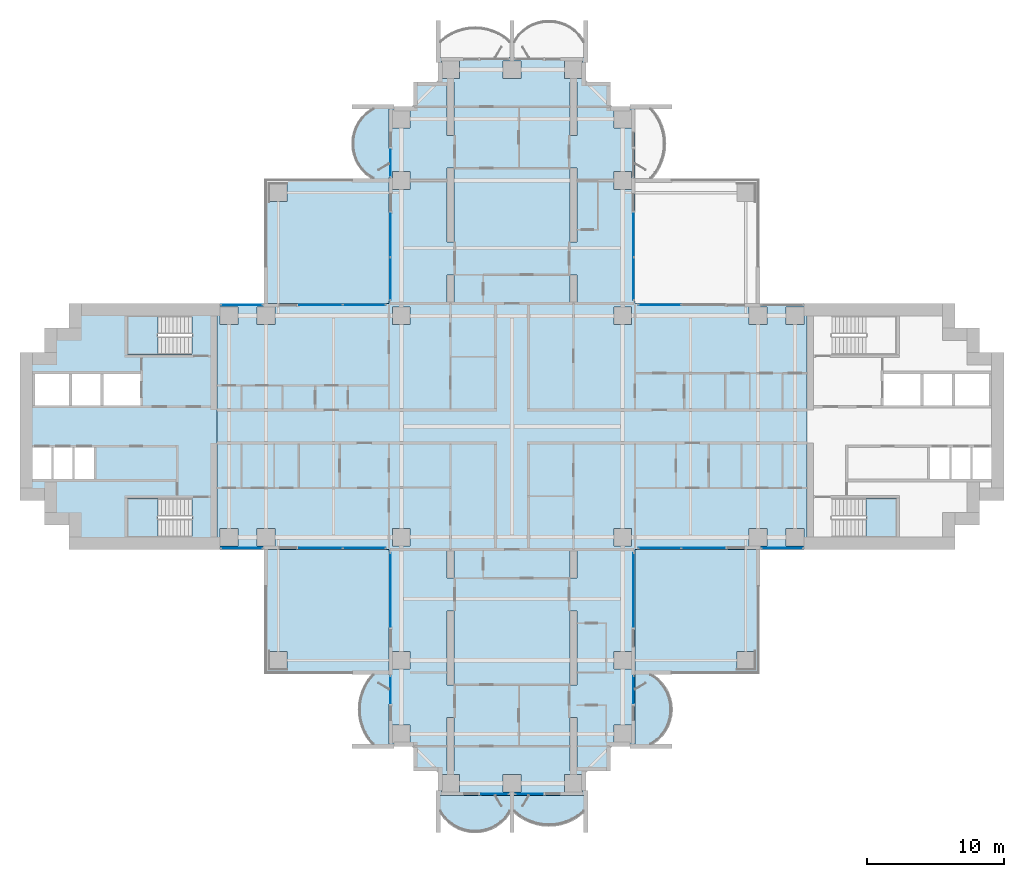
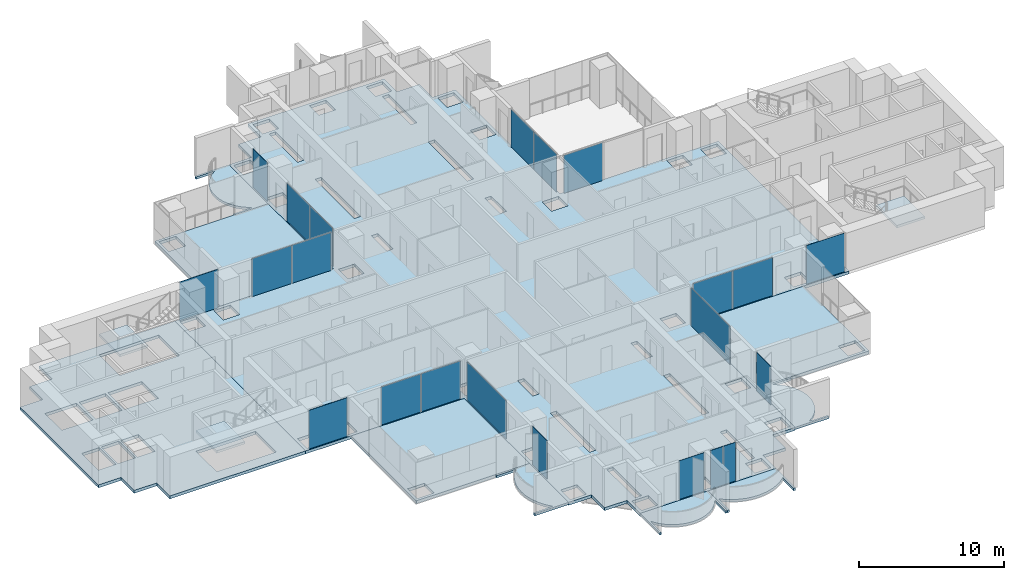
# One storey, part 8 of 21: 21 plates, 13 slabs, 19 elements without a shape of their own.
"""IFC4 building model written with IfcOpenShell, lengths in metres."""

from ifc_helpers import new_model, si_unit, direction, frame, origin, origin_2d, place, context, subcontext, project, spatial, polyline, rectangle, outline, extrude, material, layer, layer_set, type_object, element, aggregate, save


model = new_model("IFC4")

# Units and contexts
model_context = context("Model", 3, precision=1e-05, world=origin(), true_north=direction((0.0, 1.0)))
body_context = subcontext(model_context, "Body", "Model", "MODEL_VIEW")
ifc_project = project(units=[si_unit("LENGTHUNIT", "METRE"), si_unit("AREAUNIT", "SQUARE_METRE"), si_unit("VOLUMEUNIT", "CUBIC_METRE"), si_unit("PLANEANGLEUNIT", "RADIAN"), si_unit("MASSUNIT", "GRAM", prefix="KILO")], contexts=[model_context])

# Site, building, storey
site_placement = place(None, origin())
site = spatial("IfcSite", under=ifc_project, at=site_placement, CompositionType="ELEMENT")
building_placement = place(site_placement, origin())
building = spatial("IfcBuilding", under=site, at=building_placement, Name="Perihelion Cross Residences", CompositionType="ELEMENT")
storey_placement = place(building_placement, frame((0.0, 0.0, 54.0)))
storey = spatial("IfcBuildingStorey", under=building, at=storey_placement, Name="L10", CompositionType="ELEMENT", Elevation=54.0)

# Slabs
ifc_material_1 = material(Name="Concrete C40/50", Category="concrete")
ifc_layer_1 = layer(ifc_material_1, 0.199951171875)
ifc_layer_set_1 = layer_set([ifc_layer_1], Name="Balcony slab 200")
slab_type_1 = type_object("IfcSlabType", Name="Balcony slab 200", PredefinedType="FLOOR", material=ifc_layer_set_1)
slab_1_placement = place(storey_placement, frame((0.0, 0.0, -0.199951171875)))
element("IfcSlab", 1, at=slab_1_placement, inside=storey, type_object=slab_type_1, Name="Slab BK1 L10 north side west bay 1 balcony", PredefinedType="FLOOR", context=body_context, shape_type="SweptSolid", body=[
    extrude(outline(polyline([(-9.0, 23.39990234375), (-9.0, 18.0), (-11.699951171875, 18.0), (-11.699951171875, 18.14990234375), (-10.199951171875, 18.14990234375), (-10.6767578125, 18.489990234375), (-11.007080078125, 18.830078125), (-11.2490234375, 19.169921875), (-11.42724609375, 19.510009765625), (-11.553466796875, 19.85009765625), (-11.63427734375, 20.18994140625), (-11.674072265625, 20.530029296875), (-11.674072265625, 20.8701171875), (-11.63427734375, 21.2099609375), (-11.553466796875, 21.550048828125), (-11.42724609375, 21.889892578125), (-11.2490234375, 22.22998046875), (-11.007080078125, 22.570068359375), (-10.6767578125, 22.909912109375), (-10.199951171875, 23.25), (-11.699951171875, 23.25), (-11.699951171875, 23.39990234375), (-9.0, 23.39990234375)])), origin(), (0.0, 0.0, 1.0), 0.199951171875),
])
slab_2_placement = place(storey_placement, frame((0.0, 0.0, -0.199951171875)))
element("IfcSlab", 2, at=slab_2_placement, inside=storey, type_object=slab_type_1, Name="Slab BK1 L10 south side west bay 2 balcony", PredefinedType="FLOOR", context=body_context, shape_type="SweptSolid", body=[
    extrude(outline(polyline([(-9.0, -18.0), (-9.0, -23.39990234375), (-11.699951171875, -23.39990234375), (-11.699951171875, -23.25), (-10.199951171875, -23.25), (-10.5400390625, -22.824951171875), (-10.792724609375, -22.39990234375), (-10.9765625, -21.97509765625), (-11.1025390625, -21.550048828125), (-11.17578125, -21.125), (-11.199951171875, -20.699951171875), (-11.17578125, -20.27490234375), (-11.1025390625, -19.85009765625), (-10.9765625, -19.425048828125), (-10.792724609375, -19.0), (-10.5400390625, -18.574951171875), (-10.199951171875, -18.14990234375), (-11.699951171875, -18.14990234375), (-11.699951171875, -18.0), (-9.0, -18.0)])), origin(), (0.0, 0.0, 1.0), 0.199951171875),
])
slab_3_placement = place(storey_placement, frame((0.0, 0.0, -0.199951171875)))
element("IfcSlab", 3, at=slab_3_placement, inside=storey, type_object=slab_type_1, Name="Slab BK1 L10 south tip south bay 1 balcony", PredefinedType="FLOOR", context=body_context, shape_type="SweptSolid", body=[
    extrude(outline(polyline([(-5.39990234375, -27.0), (0.0, -27.0), (0.0, -29.699951171875), (-0.14990234375, -29.699951171875), (-0.14990234375, -28.199951171875), (-0.489990234375, -28.6767578125), (-0.830078125, -29.007080078125), (-1.169921875, -29.2490234375), (-1.510009765625, -29.42724609375), (-1.85009765625, -29.553466796875), (-2.18994140625, -29.63427734375), (-2.530029296875, -29.674072265625), (-2.8701171875, -29.674072265625), (-3.2099609375, -29.63427734375), (-3.550048828125, -29.553466796875), (-3.889892578125, -29.42724609375), (-4.22998046875, -29.2490234375), (-4.570068359375, -29.007080078125), (-4.909912109375, -28.6767578125), (-5.25, -28.199951171875), (-5.25, -29.699951171875), (-5.39990234375, -29.699951171875), (-5.39990234375, -27.0)])), origin(), (0.0, 0.0, 1.0), 0.199951171875),
])
slab_4_placement = place(storey_placement, frame((0.0, 0.0, -0.199951171875)))
element("IfcSlab", 4, at=slab_4_placement, inside=storey, type_object=slab_type_1, Name="Slab BK1 L10 south tip south bay 2 balcony", PredefinedType="FLOOR", context=body_context, shape_type="SweptSolid", body=[
    extrude(outline(polyline([(0.0, -27.0), (5.39990234375, -27.0), (5.39990234375, -29.699951171875), (5.25, -29.699951171875), (5.25, -28.199951171875), (4.824951171875, -28.5400390625), (4.39990234375, -28.792724609375), (3.97509765625, -28.9765625), (3.550048828125, -29.1025390625), (3.125, -29.17578125), (2.699951171875, -29.199951171875), (2.27490234375, -29.17578125), (1.85009765625, -29.1025390625), (1.425048828125, -28.9765625), (1.0, -28.792724609375), (0.574951171875, -28.5400390625), (0.14990234375, -28.199951171875), (0.14990234375, -29.699951171875), (0.0, -29.699951171875), (0.0, -27.0)])), origin(), (0.0, 0.0, 1.0), 0.199951171875),
])
slab_5_placement = place(storey_placement, frame((0.0, 0.0, -0.199951171875)))
element("IfcSlab", 5, at=slab_5_placement, inside=storey, type_object=slab_type_1, Name="Slab BK1 L10 south side east bay 1 balcony", PredefinedType="FLOOR", context=body_context, shape_type="SweptSolid", body=[
    extrude(outline(polyline([(9.0, -23.39990234375), (9.0, -18.0), (11.699951171875, -18.0), (11.699951171875, -18.14990234375), (10.199951171875, -18.14990234375), (10.6767578125, -18.489990234375), (11.007080078125, -18.830078125), (11.2490234375, -19.169921875), (11.42724609375, -19.510009765625), (11.553466796875, -19.85009765625), (11.63427734375, -20.18994140625), (11.674072265625, -20.530029296875), (11.674072265625, -20.8701171875), (11.63427734375, -21.2099609375), (11.553466796875, -21.550048828125), (11.42724609375, -21.889892578125), (11.2490234375, -22.22998046875), (11.007080078125, -22.570068359375), (10.6767578125, -22.909912109375), (10.199951171875, -23.25), (11.699951171875, -23.25), (11.699951171875, -23.39990234375), (9.0, -23.39990234375)])), origin(), (0.0, 0.0, 1.0), 0.199951171875),
])

# Curtain wall, plate
ifc_material_2 = material(Name="Bronze anodised aluminium, tinted glazing", Category="aluminium")
curtain_wall_type = type_object("IfcCurtainWallType", Name="CW1", PredefinedType="NOTDEFINED", material=ifc_material_2)
curtain_wall_1_placement = place(storey_placement, origin())
curtain_wall_1 = element("IfcCurtainWall", 6, at=curtain_wall_1_placement, inside=storey, type_object=curtain_wall_type, Name="Curtain wall CW1 L10 east side north bay 2", PredefinedType="NOTDEFINED")
ifc_material_3 = material(Name="Tinted laminated glass", Category="glass")
ifc_layer_2 = layer(ifc_material_3, 0.028076171875)
ifc_layer_set_2 = layer_set([ifc_layer_2], Name="CW1 panel")
plate_type = type_object("IfcPlateType", Name="CW1 panel", PredefinedType="CURTAIN_PANEL", material=ifc_layer_set_2)
plate_1_placement = place(storey_placement, frame((10.802490234375, 8.89990234375, 0.0), z_axis=(0.0, 0.0, 1.0), x_axis=(-1.0, 0.0, 0.0)))
plate_1 = element("IfcPlate", 7, at=plate_1_placement, type_object=plate_type, Name="CW1 panel 2", PredefinedType="CURTAIN_PANEL", context=body_context, shape_type="SweptSolid", body=[
    extrude(rectangle(XDim=3.0849609375, YDim=0.028076171875, at=origin_2d()), origin(), (0.0, 0.0, 1.0), 3.18994140625),
])
aggregate(curtain_wall_1, [plate_1])

# Curtain wall, plates
curtain_wall_2_placement = place(storey_placement, origin())
curtain_wall_2 = element("IfcCurtainWall", 8, at=curtain_wall_2_placement, inside=storey, type_object=curtain_wall_type, Name="Curtain wall CW1 L10 north side east bay 1", PredefinedType="NOTDEFINED")
plate_2_placement = place(storey_placement, frame((8.89990234375, 10.802490234375, 0.0), z_axis=(0.0, 0.0, 1.0), x_axis=(0.0, 1.0, 0.0)))
plate_2 = element("IfcPlate", 9, at=plate_2_placement, type_object=plate_type, Name="CW1 panel 1", PredefinedType="CURTAIN_PANEL", context=body_context, shape_type="SweptSolid", body=[
    extrude(rectangle(XDim=3.0849609375, YDim=0.028076171875, at=origin_2d()), origin(), (0.0, 0.0, 1.0), 3.18994140625),
])
plate_3_placement = place(storey_placement, frame((8.89990234375, 13.9775390625, 0.0), z_axis=(0.0, 0.0, 1.0), x_axis=(0.0, 1.0, 0.0)))
plate_3 = element("IfcPlate", 10, at=plate_3_placement, type_object=plate_type, Name="CW1 panel 2", PredefinedType="CURTAIN_PANEL", context=body_context, shape_type="SweptSolid", body=[
    extrude(rectangle(XDim=3.14501953125, YDim=0.028076171875, at=origin_2d()), origin(), (0.0, 0.0, 1.0), 3.18994140625),
])
aggregate(curtain_wall_2, [plate_2, plate_3])

# Curtain wall, plate
curtain_wall_3_placement = place(storey_placement, origin())
curtain_wall_3 = element("IfcCurtainWall", 11, at=curtain_wall_3_placement, inside=storey, type_object=curtain_wall_type, Name="Curtain wall CW1 L10 north side west bay 1", PredefinedType="NOTDEFINED")
plate_4_placement = place(storey_placement, frame((-8.89990234375, 19.2548828125, 0.0), z_axis=(0.0, 0.0, 1.0), x_axis=(0.0, -1.0, 0.0)))
plate_4 = element("IfcPlate", 12, at=plate_4_placement, type_object=plate_type, Name="CW1 panel 1", PredefinedType="CURTAIN_PANEL", context=body_context, shape_type="SweptSolid", body=[
    extrude(rectangle(XDim=1.989990234375, YDim=0.028076171875, at=origin_2d()), origin(), (0.0, 0.0, 1.0), 3.25),
])
aggregate(curtain_wall_3, [plate_4])

# Curtain wall, plates
curtain_wall_4_placement = place(storey_placement, origin())
curtain_wall_4 = element("IfcCurtainWall", 13, at=curtain_wall_4_placement, inside=storey, type_object=curtain_wall_type, Name="Curtain wall CW1 L10 north side west bay 2", PredefinedType="NOTDEFINED")
plate_5_placement = place(storey_placement, frame((-8.89990234375, 13.9775390625, 0.0), z_axis=(0.0, 0.0, 1.0), x_axis=(0.0, -1.0, 0.0)))
plate_5 = element("IfcPlate", 14, at=plate_5_placement, type_object=plate_type, Name="CW1 panel 1", PredefinedType="CURTAIN_PANEL", context=body_context, shape_type="SweptSolid", body=[
    extrude(rectangle(XDim=3.14501953125, YDim=0.028076171875, at=origin_2d()), origin(), (0.0, 0.0, 1.0), 3.18994140625),
])
plate_6_placement = place(storey_placement, frame((-8.89990234375, 10.802490234375, 0.0), z_axis=(0.0, 0.0, 1.0), x_axis=(0.0, -1.0, 0.0)))
plate_6 = element("IfcPlate", 15, at=plate_6_placement, type_object=plate_type, Name="CW1 panel 2", PredefinedType="CURTAIN_PANEL", context=body_context, shape_type="SweptSolid", body=[
    extrude(rectangle(XDim=3.0849609375, YDim=0.028076171875, at=origin_2d()), origin(), (0.0, 0.0, 1.0), 3.18994140625),
])
aggregate(curtain_wall_4, [plate_5, plate_6])

curtain_wall_5_placement = place(storey_placement, origin())
curtain_wall_5 = element("IfcCurtainWall", 16, at=curtain_wall_5_placement, inside=storey, type_object=curtain_wall_type, Name="Curtain wall CW1 L10 west side north bay 1", PredefinedType="NOTDEFINED")
plate_7_placement = place(storey_placement, frame((-10.802490234375, 8.89990234375, 0.0), z_axis=(0.0, 0.0, 1.0), x_axis=(-1.0, 0.0, 0.0)))
plate_7 = element("IfcPlate", 17, at=plate_7_placement, type_object=plate_type, Name="CW1 panel 1", PredefinedType="CURTAIN_PANEL", context=body_context, shape_type="SweptSolid", body=[
    extrude(rectangle(XDim=3.0849609375, YDim=0.028076171875, at=origin_2d()), origin(), (0.0, 0.0, 1.0), 3.18994140625),
])
plate_8_placement = place(storey_placement, frame((-13.9775390625, 8.89990234375, 0.0), z_axis=(0.0, 0.0, 1.0), x_axis=(-1.0, 0.0, 0.0)))
plate_8 = element("IfcPlate", 18, at=plate_8_placement, type_object=plate_type, Name="CW1 panel 2", PredefinedType="CURTAIN_PANEL", context=body_context, shape_type="SweptSolid", body=[
    extrude(rectangle(XDim=3.14501953125, YDim=0.028076171875, at=origin_2d()), origin(), (0.0, 0.0, 1.0), 3.18994140625),
])
aggregate(curtain_wall_5, [plate_7, plate_8])

# Curtain wall, plate
curtain_wall_6_placement = place(storey_placement, origin())
curtain_wall_6 = element("IfcCurtainWall", 19, at=curtain_wall_6_placement, inside=storey, type_object=curtain_wall_type, Name="Curtain wall CW1 L10 west side north bay 2", PredefinedType="NOTDEFINED")
plate_9_placement = place(storey_placement, frame((-19.77490234375, 8.89990234375, 0.0), z_axis=(0.0, 0.0, 1.0), x_axis=(-1.0, 0.0, 0.0)))
plate_9 = element("IfcPlate", 20, at=plate_9_placement, type_object=plate_type, Name="CW1 panel 1", PredefinedType="CURTAIN_PANEL", context=body_context, shape_type="SweptSolid", body=[
    extrude(rectangle(XDim=3.030029296875, YDim=0.028076171875, at=origin_2d()), origin(), (0.0, 0.0, 1.0), 3.25),
])
aggregate(curtain_wall_6, [plate_9])

curtain_wall_7_placement = place(storey_placement, origin())
curtain_wall_7 = element("IfcCurtainWall", 21, at=curtain_wall_7_placement, inside=storey, type_object=curtain_wall_type, Name="Curtain wall CW1 L10 west side south bay 1", PredefinedType="NOTDEFINED")
plate_10_placement = place(storey_placement, frame((-19.77490234375, -8.89990234375, 0.0), z_axis=(0.0, 0.0, 1.0), x_axis=(1.0, 0.0, 0.0)))
plate_10 = element("IfcPlate", 22, at=plate_10_placement, type_object=plate_type, Name="CW1 panel 1", PredefinedType="CURTAIN_PANEL", context=body_context, shape_type="SweptSolid", body=[
    extrude(rectangle(XDim=3.030029296875, YDim=0.028076171875, at=origin_2d()), origin(), (0.0, 0.0, 1.0), 3.25),
])
aggregate(curtain_wall_7, [plate_10])

# Curtain wall, plates
curtain_wall_8_placement = place(storey_placement, origin())
curtain_wall_8 = element("IfcCurtainWall", 23, at=curtain_wall_8_placement, inside=storey, type_object=curtain_wall_type, Name="Curtain wall CW1 L10 west side south bay 2", PredefinedType="NOTDEFINED")
plate_11_placement = place(storey_placement, frame((-13.9775390625, -8.89990234375, 0.0), z_axis=(0.0, 0.0, 1.0), x_axis=(1.0, 0.0, 0.0)))
plate_11 = element("IfcPlate", 24, at=plate_11_placement, type_object=plate_type, Name="CW1 panel 1", PredefinedType="CURTAIN_PANEL", context=body_context, shape_type="SweptSolid", body=[
    extrude(rectangle(XDim=3.14501953125, YDim=0.028076171875, at=origin_2d()), origin(), (0.0, 0.0, 1.0), 3.18994140625),
])
plate_12_placement = place(storey_placement, frame((-10.802490234375, -8.89990234375, 0.0), z_axis=(0.0, 0.0, 1.0), x_axis=(1.0, 0.0, 0.0)))
plate_12 = element("IfcPlate", 25, at=plate_12_placement, type_object=plate_type, Name="CW1 panel 2", PredefinedType="CURTAIN_PANEL", context=body_context, shape_type="SweptSolid", body=[
    extrude(rectangle(XDim=3.0849609375, YDim=0.028076171875, at=origin_2d()), origin(), (0.0, 0.0, 1.0), 3.18994140625),
])
aggregate(curtain_wall_8, [plate_11, plate_12])

# Curtain wall, plate
curtain_wall_9_placement = place(storey_placement, origin())
curtain_wall_9 = element("IfcCurtainWall", 26, at=curtain_wall_9_placement, inside=storey, type_object=curtain_wall_type, Name="Curtain wall CW1 L10 south side west bay 1", PredefinedType="NOTDEFINED")
plate_13_placement = place(storey_placement, frame((-8.89990234375, -11.955078125, 0.0), z_axis=(0.0, 0.0, 1.0), x_axis=(0.0, -1.0, 0.0)))
plate_13 = element("IfcPlate", 27, at=plate_13_placement, type_object=plate_type, Name="CW1 panel 1", PredefinedType="CURTAIN_PANEL", context=body_context, shape_type="SweptSolid", body=[
    extrude(rectangle(XDim=5.389892578125, YDim=0.028076171875, at=origin_2d()), origin(), (0.0, 0.0, 1.0), 3.18994140625),
])
aggregate(curtain_wall_9, [plate_13])

curtain_wall_10_placement = place(storey_placement, origin())
curtain_wall_10 = element("IfcCurtainWall", 28, at=curtain_wall_10_placement, inside=storey, type_object=curtain_wall_type, Name="Curtain wall CW1 L10 south side west bay 2", PredefinedType="NOTDEFINED")
plate_14_placement = place(storey_placement, frame((-8.89990234375, -19.2548828125, 0.0), z_axis=(0.0, 0.0, 1.0), x_axis=(0.0, -1.0, 0.0)))
plate_14 = element("IfcPlate", 29, at=plate_14_placement, type_object=plate_type, Name="CW1 panel 1", PredefinedType="CURTAIN_PANEL", context=body_context, shape_type="SweptSolid", body=[
    extrude(rectangle(XDim=1.989990234375, YDim=0.028076171875, at=origin_2d()), origin(), (0.0, 0.0, 1.0), 3.25),
])
aggregate(curtain_wall_10, [plate_14])

curtain_wall_11_placement = place(storey_placement, origin())
curtain_wall_11 = element("IfcCurtainWall", 30, at=curtain_wall_11_placement, inside=storey, type_object=curtain_wall_type, Name="Curtain wall CW1 L10 south tip south bay 1", PredefinedType="NOTDEFINED")
plate_15_placement = place(storey_placement, frame((-1.2548828125, -26.89990234375, 0.0), z_axis=(0.0, 0.0, 1.0), x_axis=(1.0, 0.0, 0.0)))
plate_15 = element("IfcPlate", 31, at=plate_15_placement, type_object=plate_type, Name="CW1 panel 1", PredefinedType="CURTAIN_PANEL", context=body_context, shape_type="SweptSolid", body=[
    extrude(rectangle(XDim=1.989990234375, YDim=0.028076171875, at=origin_2d()), origin(), (0.0, 0.0, 1.0), 3.25),
])
aggregate(curtain_wall_11, [plate_15])

curtain_wall_12_placement = place(storey_placement, origin())
curtain_wall_12 = element("IfcCurtainWall", 32, at=curtain_wall_12_placement, inside=storey, type_object=curtain_wall_type, Name="Curtain wall CW1 L10 south tip south bay 2", PredefinedType="NOTDEFINED")
plate_16_placement = place(storey_placement, frame((1.2548828125, -26.89990234375, 0.0), z_axis=(0.0, 0.0, 1.0), x_axis=(1.0, 0.0, 0.0)))
plate_16 = element("IfcPlate", 33, at=plate_16_placement, type_object=plate_type, Name="CW1 panel 1", PredefinedType="CURTAIN_PANEL", context=body_context, shape_type="SweptSolid", body=[
    extrude(rectangle(XDim=1.989990234375, YDim=0.028076171875, at=origin_2d()), origin(), (0.0, 0.0, 1.0), 3.25),
])
aggregate(curtain_wall_12, [plate_16])

curtain_wall_13_placement = place(storey_placement, origin())
curtain_wall_13 = element("IfcCurtainWall", 34, at=curtain_wall_13_placement, inside=storey, type_object=curtain_wall_type, Name="Curtain wall CW1 L10 south side east bay 1", PredefinedType="NOTDEFINED")
plate_17_placement = place(storey_placement, frame((8.89990234375, -19.2548828125, 0.0), z_axis=(0.0, 0.0, 1.0), x_axis=(0.0, 1.0, 0.0)))
plate_17 = element("IfcPlate", 35, at=plate_17_placement, type_object=plate_type, Name="CW1 panel 1", PredefinedType="CURTAIN_PANEL", context=body_context, shape_type="SweptSolid", body=[
    extrude(rectangle(XDim=1.989990234375, YDim=0.028076171875, at=origin_2d()), origin(), (0.0, 0.0, 1.0), 3.25),
])
aggregate(curtain_wall_13, [plate_17])

curtain_wall_14_placement = place(storey_placement, origin())
curtain_wall_14 = element("IfcCurtainWall", 36, at=curtain_wall_14_placement, inside=storey, type_object=curtain_wall_type, Name="Curtain wall CW1 L10 south side east bay 2", PredefinedType="NOTDEFINED")
plate_18_placement = place(storey_placement, frame((8.89990234375, -11.955078125, 0.0), z_axis=(0.0, 0.0, 1.0), x_axis=(0.0, 1.0, 0.0)))
plate_18 = element("IfcPlate", 37, at=plate_18_placement, type_object=plate_type, Name="CW1 panel 1", PredefinedType="CURTAIN_PANEL", context=body_context, shape_type="SweptSolid", body=[
    extrude(rectangle(XDim=5.389892578125, YDim=0.028076171875, at=origin_2d()), origin(), (0.0, 0.0, 1.0), 3.18994140625),
])
aggregate(curtain_wall_14, [plate_18])

# Curtain wall, plates
curtain_wall_15_placement = place(storey_placement, origin())
curtain_wall_15 = element("IfcCurtainWall", 38, at=curtain_wall_15_placement, inside=storey, type_object=curtain_wall_type, Name="Curtain wall CW1 L10 east side south bay 1", PredefinedType="NOTDEFINED")
plate_19_placement = place(storey_placement, frame((10.802490234375, -8.89990234375, 0.0), z_axis=(0.0, 0.0, 1.0), x_axis=(1.0, 0.0, 0.0)))
plate_19 = element("IfcPlate", 39, at=plate_19_placement, type_object=plate_type, Name="CW1 panel 1", PredefinedType="CURTAIN_PANEL", context=body_context, shape_type="SweptSolid", body=[
    extrude(rectangle(XDim=3.0849609375, YDim=0.028076171875, at=origin_2d()), origin(), (0.0, 0.0, 1.0), 3.18994140625),
])
plate_20_placement = place(storey_placement, frame((13.9775390625, -8.89990234375, 0.0), z_axis=(0.0, 0.0, 1.0), x_axis=(1.0, 0.0, 0.0)))
plate_20 = element("IfcPlate", 40, at=plate_20_placement, type_object=plate_type, Name="CW1 panel 2", PredefinedType="CURTAIN_PANEL", context=body_context, shape_type="SweptSolid", body=[
    extrude(rectangle(XDim=3.14501953125, YDim=0.028076171875, at=origin_2d()), origin(), (0.0, 0.0, 1.0), 3.18994140625),
])
aggregate(curtain_wall_15, [plate_19, plate_20])

# Curtain wall, plate
curtain_wall_16_placement = place(storey_placement, origin())
curtain_wall_16 = element("IfcCurtainWall", 41, at=curtain_wall_16_placement, inside=storey, type_object=curtain_wall_type, Name="Curtain wall CW1 L10 east side south bay 2", PredefinedType="NOTDEFINED")
plate_21_placement = place(storey_placement, frame((19.77490234375, -8.89990234375, 0.0), z_axis=(0.0, 0.0, 1.0), x_axis=(1.0, 0.0, 0.0)))
plate_21 = element("IfcPlate", 42, at=plate_21_placement, type_object=plate_type, Name="CW1 panel 1", PredefinedType="CURTAIN_PANEL", context=body_context, shape_type="SweptSolid", body=[
    extrude(rectangle(XDim=3.030029296875, YDim=0.028076171875, at=origin_2d()), origin(), (0.0, 0.0, 1.0), 3.25),
])
aggregate(curtain_wall_16, [plate_21])

# Slabs
ifc_material_4 = material(Name="Concrete C40/50", Category="concrete")
ifc_layer_3 = layer(ifc_material_4, 0.25)
ifc_layer_set_3 = layer_set([ifc_layer_3], Name="Core floor slab 250")
slab_type_2 = type_object("IfcSlabType", Name="Core floor slab 250", PredefinedType="FLOOR", material=ifc_layer_set_3)
slab_6_placement = place(storey_placement, frame((0.0, 0.0, -0.25)))
element("IfcSlab", 43, at=slab_6_placement, inside=storey, type_object=slab_type_2, Name="West core floor slab", PredefinedType="FLOOR", context=body_context, shape_type="SweptSolid", body=[
    extrude(outline(polyline([(-32.39990234375, 7.199951171875), (-34.199951171875, 7.199951171875), (-34.199951171875, 5.39990234375), (-36.0, 5.39990234375), (-36.0, -5.39990234375), (-34.199951171875, -5.39990234375), (-34.199951171875, -7.199951171875), (-32.39990234375, -7.199951171875), (-32.39990234375, -9.0), (-21.60009765625, -9.0), (-21.60009765625, 9.0), (-32.39990234375, 9.0), (-32.39990234375, 7.199951171875)]), holes=[polyline([(-23.405029296875, -8.10009765625), (-28.14990234375, -8.10009765625), (-28.14990234375, -5.25), (-23.405029296875, -5.25), (-23.405029296875, -8.10009765625)]), polyline([(-30.60009765625, -1.550048828125), (-30.60009765625, -3.85009765625), (-32.0, -3.85009765625), (-32.0, -1.550048828125), (-30.60009765625, -1.550048828125)]), polyline([(-32.14990234375, -1.550048828125), (-32.14990234375, -3.85009765625), (-33.550048828125, -3.85009765625), (-33.550048828125, -1.550048828125), (-32.14990234375, -1.550048828125)]), polyline([(-33.699951171875, -1.550048828125), (-33.699951171875, -3.85009765625), (-35.10009765625, -3.85009765625), (-35.10009765625, -1.550048828125), (-33.699951171875, -1.550048828125)]), polyline([(-27.199951171875, 3.85009765625), (-27.199951171875, 1.550048828125), (-29.89990234375, 1.550048828125), (-29.89990234375, 3.85009765625), (-27.199951171875, 3.85009765625)]), polyline([(-30.10009765625, 3.85009765625), (-30.10009765625, 1.550048828125), (-32.199951171875, 1.550048828125), (-32.199951171875, 3.85009765625), (-30.10009765625, 3.85009765625)]), polyline([(-32.39990234375, 3.85009765625), (-32.39990234375, 1.550048828125), (-34.89990234375, 1.550048828125), (-34.89990234375, 3.85009765625), (-32.39990234375, 3.85009765625)]), polyline([(-23.405029296875, 5.25), (-28.14990234375, 5.25), (-28.14990234375, 8.10009765625), (-23.405029296875, 8.10009765625), (-23.405029296875, 5.25)])]), origin(), (0.0, 0.0, 1.0), 0.25),
])
ifc_material_5 = material(Name="Concrete C40/50", Category="concrete")
ifc_layer_4 = layer(ifc_material_5, 0.25)
ifc_layer_set_4 = layer_set([ifc_layer_4], Name="Corner terrace slab")
slab_type_3 = type_object("IfcSlabType", Name="Corner terrace slab", PredefinedType="FLOOR", material=ifc_layer_set_4)
slab_7_placement = place(storey_placement, frame((0.0, 0.0, -0.25)))
element("IfcSlab", 44, at=slab_7_placement, inside=storey, type_object=slab_type_3, Name="Slab BK2 L10 pocket north-west", PredefinedType="FLOOR", context=body_context, shape_type="SweptSolid", body=[
    extrude(outline(polyline([(-9.0, 9.0), (-9.0, 18.0), (-18.0, 18.0), (-18.0, 9.0), (-9.0, 9.0)]), holes=[polyline([(-17.7900390625, 16.409912109375), (-17.7900390625, 17.7900390625), (-16.449951171875, 17.7900390625), (-16.449951171875, 16.449951171875), (-17.75, 16.449951171875), (-17.75, 16.409912109375), (-17.7900390625, 16.409912109375)])]), origin(), (0.0, 0.0, 1.0), 0.25),
])
slab_8_placement = place(storey_placement, frame((0.0, 0.0, -0.25)))
element("IfcSlab", 45, at=slab_8_placement, inside=storey, type_object=slab_type_3, Name="Slab BK2 L10 pocket south-west", PredefinedType="FLOOR", context=body_context, shape_type="SweptSolid", body=[
    extrude(outline(polyline([(-9.0, -18.0), (-9.0, -9.0), (-18.0, -9.0), (-18.0, -18.0), (-9.0, -18.0)]), holes=[polyline([(-17.7900390625, -16.409912109375), (-17.75, -16.409912109375), (-17.75, -16.449951171875), (-16.449951171875, -16.449951171875), (-16.449951171875, -17.7900390625), (-17.7900390625, -17.7900390625), (-17.7900390625, -16.409912109375)])]), origin(), (0.0, 0.0, 1.0), 0.25),
])
slab_9_placement = place(storey_placement, frame((0.0, 0.0, -0.25)))
element("IfcSlab", 46, at=slab_9_placement, inside=storey, type_object=slab_type_3, Name="Slab BK2 L10 pocket south-east", PredefinedType="FLOOR", context=body_context, shape_type="SweptSolid", body=[
    extrude(outline(polyline([(18.0, -18.0), (18.0, -9.0), (9.0, -9.0), (9.0, -18.0), (18.0, -18.0)]), holes=[polyline([(16.449951171875, -17.7900390625), (16.449951171875, -16.449951171875), (17.75, -16.449951171875), (17.75, -16.409912109375), (17.7900390625, -16.409912109375), (17.7900390625, -17.7900390625), (16.449951171875, -17.7900390625)])]), origin(), (0.0, 0.0, 1.0), 0.25),
])

# Stair, slab
ifc_material_6 = material(Name="Concrete C40/50", Category="concrete")
stair_type = type_object("IfcStairType", Name="Exit stair, half-turn", PredefinedType="HALF_TURN_STAIR", material=ifc_material_6)
stair_1_placement = place(storey_placement, origin())
stair_1 = element("IfcStair", 47, at=stair_1_placement, inside=storey, type_object=stair_type, Name="L10 East core exit stair 2", PredefinedType="HALF_TURN_STAIR")
ifc_material_7 = material(Name="Concrete C40/50", Category="concrete")
ifc_layer_5 = layer(ifc_material_7, 0.199951171875)
ifc_layer_set_5 = layer_set([ifc_layer_5], Name="Exit stair landing 200")
slab_type_4 = type_object("IfcSlabType", Name="Exit stair landing 200", PredefinedType="LANDING", material=ifc_layer_set_5)
slab_10_placement = place(storey_placement, frame((0.0, 0.0, 1.550048828125)))
slab_10 = element("IfcSlab", 48, at=slab_10_placement, type_object=slab_type_4, Name="ST-E2 landing 1", PredefinedType="LANDING", context=body_context, shape_type="SweptSolid", body=[
    extrude(outline(polyline([(25.919921875, -8.10009765625), (28.14990234375, -8.10009765625), (28.14990234375, -5.25), (25.919921875, -5.25), (25.919921875, -8.10009765625)])), origin(), (0.0, 0.0, 1.0), 0.199951171875),
])
aggregate(stair_1, [slab_10])

stair_2_placement = place(storey_placement, origin())
stair_2 = element("IfcStair", 49, at=stair_2_placement, inside=storey, type_object=stair_type, Name="L10 West core exit stair 1", PredefinedType="HALF_TURN_STAIR")
slab_11_placement = place(storey_placement, frame((0.0, 0.0, 1.550048828125)))
slab_11 = element("IfcSlab", 50, at=slab_11_placement, type_object=slab_type_4, Name="ST-W1 landing 1", PredefinedType="LANDING", context=body_context, shape_type="SweptSolid", body=[
    extrude(outline(polyline([(-25.919921875, 8.10009765625), (-28.14990234375, 8.10009765625), (-28.14990234375, 5.25), (-25.919921875, 5.25), (-25.919921875, 8.10009765625)])), origin(), (0.0, 0.0, 1.0), 0.199951171875),
])
aggregate(stair_2, [slab_11])

stair_3_placement = place(storey_placement, origin())
stair_3 = element("IfcStair", 51, at=stair_3_placement, inside=storey, type_object=stair_type, Name="L10 West core exit stair 2", PredefinedType="HALF_TURN_STAIR")
slab_12_placement = place(storey_placement, frame((0.0, 0.0, 1.550048828125)))
slab_12 = element("IfcSlab", 52, at=slab_12_placement, type_object=slab_type_4, Name="ST-W2 landing 1", PredefinedType="LANDING", context=body_context, shape_type="SweptSolid", body=[
    extrude(outline(polyline([(-25.919921875, -5.25), (-28.14990234375, -5.25), (-28.14990234375, -8.10009765625), (-25.919921875, -8.10009765625), (-25.919921875, -5.25)])), origin(), (0.0, 0.0, 1.0), 0.199951171875),
])
aggregate(stair_3, [slab_12])

# Slab
ifc_material_8 = material(Name="Concrete C50/60", Category="concrete")
ifc_layer_6 = layer(ifc_material_8, 0.25)
ifc_layer_set_6 = layer_set([ifc_layer_6], Name="Residential floor post-tensioned slab concrete C50/60")
slab_type_5 = type_object("IfcSlabType", Name="Residential floor post-tensioned slab concrete C50/60", PredefinedType="FLOOR", material=ifc_layer_set_6)
slab_13_placement = place(storey_placement, frame((0.0, 0.0, -0.25)))
element("IfcSlab", 53, at=slab_13_placement, inside=storey, type_object=slab_type_5, Name="Slab SL8 L10 1 no. 1", PredefinedType="FLOOR", context=body_context, shape_type="SweptSolid", body=[
    extrude(outline(polyline([(-9.0, 9.0), (-9.0, 23.39990234375), (-7.199951171875, 23.39990234375), (-7.199951171875, 25.199951171875), (-5.39990234375, 25.199951171875), (-5.39990234375, 27.0), (5.39990234375, 27.0), (5.39990234375, 25.199951171875), (7.199951171875, 25.199951171875), (7.199951171875, 23.39990234375), (9.0, 23.39990234375), (9.0, 9.0), (21.60009765625, 9.0), (21.60009765625, -9.0), (9.0, -9.0), (9.0, -23.39990234375), (7.199951171875, -23.39990234375), (7.199951171875, -25.199951171875), (5.39990234375, -25.199951171875), (5.39990234375, -27.0), (-5.39990234375, -27.0), (-5.39990234375, -25.199951171875), (-7.199951171875, -25.199951171875), (-7.199951171875, -23.39990234375), (-9.0, -23.39990234375), (-9.0, -9.0), (-21.60009765625, -9.0), (-21.60009765625, 9.0), (-9.0, 9.0)]), holes=[polyline([(0.64990234375, -26.75), (0.64990234375, -25.449951171875), (-0.64990234375, -25.449951171875), (-0.64990234375, -26.75), (0.64990234375, -26.75)]), polyline([(-3.85009765625, -26.75), (-3.85009765625, -25.449951171875), (-5.14990234375, -25.449951171875), (-5.14990234375, -26.75), (-3.85009765625, -26.75)]), polyline([(-4.25, -25.199951171875), (-4.25, -21.300048828125), (-4.75, -21.300048828125), (-4.75, -25.199951171875), (-4.25, -25.199951171875)]), polyline([(-8.75, -23.14990234375), (-7.449951171875, -23.14990234375), (-7.449951171875, -21.85009765625), (-8.75, -21.85009765625), (-8.75, -23.14990234375)]), polyline([(-8.75, -17.75), (-7.449951171875, -17.75), (-7.449951171875, -16.449951171875), (-8.75, -16.449951171875), (-8.75, -17.75)]), polyline([(-4.25, -18.89990234375), (-4.25, -13.5), (-4.75, -13.5), (-4.75, -18.89990234375), (-4.25, -18.89990234375)]), polyline([(-4.25, -11.10009765625), (-4.25, -9.0), (-4.75, -9.0), (-4.75, -11.10009765625), (-4.25, -11.10009765625)]), polyline([(-7.449951171875, -8.75), (-7.449951171875, -7.449951171875), (-8.75, -7.449951171875), (-8.75, -8.75), (-7.449951171875, -8.75)]), polyline([(-18.64990234375, -8.75), (-17.35009765625, -8.75), (-17.35009765625, -7.449951171875), (-18.64990234375, -7.449951171875), (-18.64990234375, -8.75)]), polyline([(-21.35009765625, -8.75), (-20.050048828125, -8.75), (-20.050048828125, -7.449951171875), (-21.35009765625, -7.449951171875), (-21.35009765625, -8.75)]), polyline([(-17.35009765625, 7.449951171875), (-17.35009765625, 8.75), (-18.64990234375, 8.75), (-18.64990234375, 7.449951171875), (-17.35009765625, 7.449951171875)]), polyline([(-7.449951171875, 7.449951171875), (-7.449951171875, 8.75), (-8.75, 8.75), (-8.75, 7.449951171875), (-7.449951171875, 7.449951171875)]), polyline([(-21.35009765625, 7.449951171875), (-20.050048828125, 7.449951171875), (-20.050048828125, 8.75), (-21.35009765625, 8.75), (-21.35009765625, 7.449951171875)]), polyline([(-4.75, 9.0), (-4.25, 9.0), (-4.25, 11.10009765625), (-4.75, 11.10009765625), (-4.75, 9.0)]), polyline([(-4.25, 13.5), (-4.25, 18.89990234375), (-4.75, 18.89990234375), (-4.75, 13.5), (-4.25, 13.5)]), polyline([(-7.449951171875, 17.35009765625), (-7.449951171875, 18.64990234375), (-8.75, 18.64990234375), (-8.75, 17.35009765625), (-7.449951171875, 17.35009765625)]), polyline([(-7.449951171875, 21.85009765625), (-7.449951171875, 23.14990234375), (-8.75, 23.14990234375), (-8.75, 21.85009765625), (-7.449951171875, 21.85009765625)]), polyline([(-4.75, 21.300048828125), (-4.25, 21.300048828125), (-4.25, 25.199951171875), (-4.75, 25.199951171875), (-4.75, 21.300048828125)]), polyline([(-5.14990234375, 25.449951171875), (-3.85009765625, 25.449951171875), (-3.85009765625, 26.75), (-5.14990234375, 26.75), (-5.14990234375, 25.449951171875)]), polyline([(5.14990234375, -26.75), (5.14990234375, -25.449951171875), (3.85009765625, -25.449951171875), (3.85009765625, -26.75), (5.14990234375, -26.75)]), polyline([(4.75, -25.199951171875), (4.75, -21.300048828125), (4.25, -21.300048828125), (4.25, -25.199951171875), (4.75, -25.199951171875)]), polyline([(8.75, -23.14990234375), (8.75, -21.85009765625), (7.449951171875, -21.85009765625), (7.449951171875, -23.14990234375), (8.75, -23.14990234375)]), polyline([(7.449951171875, -17.75), (8.75, -17.75), (8.75, -16.449951171875), (7.449951171875, -16.449951171875), (7.449951171875, -17.75)]), polyline([(4.25, -18.89990234375), (4.75, -18.89990234375), (4.75, -13.5), (4.25, -13.5), (4.25, -18.89990234375)]), polyline([(4.75, -11.10009765625), (4.75, -9.0), (4.25, -9.0), (4.25, -11.10009765625), (4.75, -11.10009765625)]), polyline([(18.64990234375, -8.75), (18.64990234375, -7.449951171875), (17.35009765625, -7.449951171875), (17.35009765625, -8.75), (18.64990234375, -8.75)]), polyline([(21.35009765625, -8.75), (21.35009765625, -7.449951171875), (20.050048828125, -7.449951171875), (20.050048828125, -8.75), (21.35009765625, -8.75)]), polyline([(7.449951171875, -8.75), (8.75, -8.75), (8.75, -7.449951171875), (7.449951171875, -7.449951171875), (7.449951171875, -8.75)]), polyline([(21.35009765625, 7.449951171875), (21.35009765625, 8.75), (20.050048828125, 8.75), (20.050048828125, 7.449951171875), (21.35009765625, 7.449951171875)]), polyline([(8.75, 7.449951171875), (8.75, 8.75), (7.449951171875, 8.75), (7.449951171875, 7.449951171875), (8.75, 7.449951171875)]), polyline([(18.64990234375, 7.449951171875), (18.64990234375, 8.75), (17.35009765625, 8.75), (17.35009765625, 7.449951171875), (18.64990234375, 7.449951171875)]), polyline([(4.25, 9.0), (4.75, 9.0), (4.75, 11.10009765625), (4.25, 11.10009765625), (4.25, 9.0)]), polyline([(4.25, 13.5), (4.75, 13.5), (4.75, 18.89990234375), (4.25, 18.89990234375), (4.25, 13.5)]), polyline([(8.75, 17.35009765625), (8.75, 18.64990234375), (7.449951171875, 18.64990234375), (7.449951171875, 17.35009765625), (8.75, 17.35009765625)]), polyline([(8.75, 21.85009765625), (8.75, 23.14990234375), (7.449951171875, 23.14990234375), (7.449951171875, 21.85009765625), (8.75, 21.85009765625)]), polyline([(4.75, 21.300048828125), (4.75, 25.199951171875), (4.25, 25.199951171875), (4.25, 21.300048828125), (4.75, 21.300048828125)]), polyline([(-0.64990234375, 25.449951171875), (0.64990234375, 25.449951171875), (0.64990234375, 26.75), (-0.64990234375, 26.75), (-0.64990234375, 25.449951171875)]), polyline([(3.85009765625, 25.449951171875), (5.14990234375, 25.449951171875), (5.14990234375, 26.75), (3.85009765625, 26.75), (3.85009765625, 25.449951171875)])]), origin(), (0.0, 0.0, 1.0), 0.25),
])

save(model, "model.ifc")
